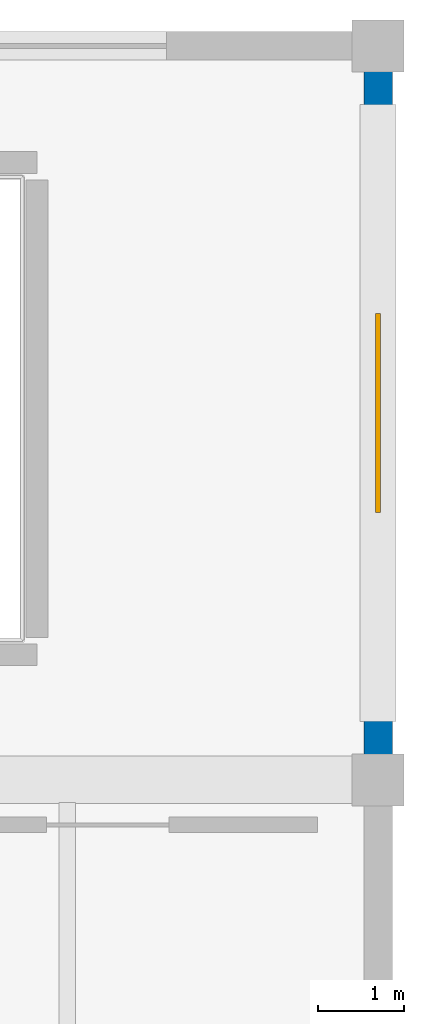
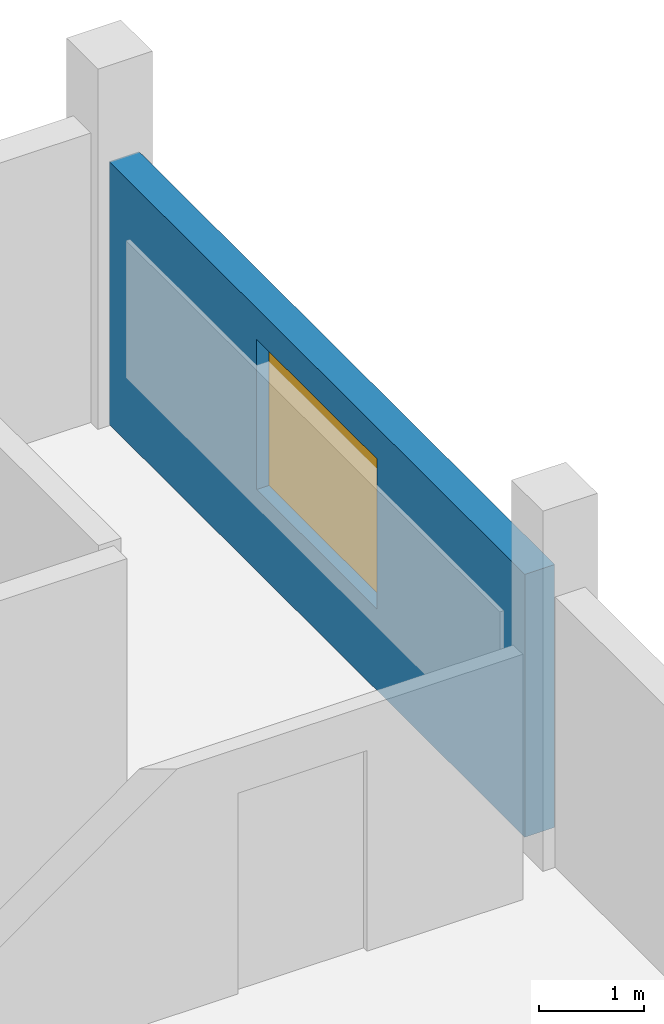
# One storey, part 11 of 13: 1 wall, 1 window, 1 opening.
"""IFC4 building model written with IfcOpenShell, lengths in metres."""

import ifcopenshell
import ifcopenshell.guid

model = None  # the IFC model being written
_history = None  # IfcOwnerHistory: only IFC2X3 demands one
_inside = {}  # id of a spatial element -> (the spatial element, [elements in it])
_under = {}  # id of a project, library or spatial element -> (it, [spatial elements below it])
_declared = {}  # id of a project -> (the project, [libraries it declares])
_typed = {}  # id of a type object -> (the type object, [elements of that type])
_made_of = {}  # id of a material, layer set ... -> (it, [elements and type objects made of it])


def new_model(schema):
    """Start an empty IFC model of exactly this schema.

    Asked for "IFC4X3", IfcOpenShell would pick the latest addendum, in which some entities
    have other attributes; the version numbers below select the first issue.
    IFC2X3 requires an IfcOwnerHistory on every rooted entity: one is made here for all.
    """
    global model, _history
    if schema == "IFC4X3":
        model = ifcopenshell.file(schema_version=(4, 3, 0, 0))
    else:
        model = ifcopenshell.file(schema=schema)
    _inside.clear()
    _under.clear()
    _declared.clear()
    _typed.clear()
    _made_of.clear()
    _history = None
    if model.schema == "IFC2X3":
        org = make("IfcOrganization", Name="unknown")
        user = make(
            "IfcPersonAndOrganization",
            ThePerson=make("IfcPerson", FamilyName="unknown"),
            TheOrganization=org,
        )
        app = make(
            "IfcApplication",
            ApplicationDeveloper=org,
            Version="unknown",
            ApplicationFullName="unknown",
            ApplicationIdentifier="unknown",
        )
        _history = make(
            "IfcOwnerHistory",
            OwningUser=user,
            OwningApplication=app,
            ChangeAction="ADDED",
            CreationDate=0,
        )
    return model


def make(cls, **values):
    """One entity of the class cls with the attributes given. An attribute that is None is left unset."""
    return model.create_entity(
        cls, **{name: value for name, value in values.items() if value is not None}
    )


def rooted(cls, **values):
    """An entity with a GlobalId (a new one), such as an element, a storey or a relation."""
    return make(cls, GlobalId=ifcopenshell.guid.new(), OwnerHistory=_history, **values)


def si_unit(unit_type, name, prefix=None):
    """IfcSIUnit, for example si_unit("LENGTHUNIT", "METRE", prefix="MILLI")."""
    return make("IfcSIUnit", UnitType=unit_type, Prefix=prefix, Name=name)


def assignment(units):
    """IfcUnitAssignment: the units of a project."""
    return None if units is None else make("IfcUnitAssignment", Units=units)


def point(xyz):
    """IfcCartesianPoint."""
    return None if xyz is None else make("IfcCartesianPoint", Coordinates=xyz)


def direction(xyz):
    """IfcDirection."""
    return None if xyz is None else make("IfcDirection", DirectionRatios=xyz)


def frame(location, z_axis=None, x_axis=None):
    """IfcAxis2Placement3D, a coordinate frame: its origin and axes. An axis left out is left unset."""
    return make(
        "IfcAxis2Placement3D",
        Location=point(location),
        Axis=direction(z_axis),
        RefDirection=direction(x_axis),
    )


def frame_2d(location, x_axis=None):
    """IfcAxis2Placement2D, a coordinate frame in the plane: its origin and x axis."""
    return make(
        "IfcAxis2Placement2D", Location=point(location), RefDirection=direction(x_axis)
    )


def origin():
    """The frame at (0, 0, 0) with its axes left unset."""
    return frame((0.0, 0.0, 0.0))


def place(relative_to, where):
    """IfcLocalPlacement: puts the frame where relative to a parent placement (None: the world)."""
    return make(
        "IfcLocalPlacement", PlacementRelTo=relative_to, RelativePlacement=where
    )


def context(
    kind, dimensions, precision=None, world=None, true_north=None, identifier=None
):
    """IfcGeometricRepresentationContext, for example the 3D "Model" context."""
    return make(
        "IfcGeometricRepresentationContext",
        ContextIdentifier=identifier,
        ContextType=kind,
        CoordinateSpaceDimension=dimensions,
        Precision=precision,
        WorldCoordinateSystem=world,
        TrueNorth=true_north,
    )


def subcontext(parent, identifier, kind, view, scale=None):
    """IfcGeometricRepresentationSubContext, for example "Body" below "Model"."""
    return make(
        "IfcGeometricRepresentationSubContext",
        ContextIdentifier=identifier,
        ContextType=kind,
        ParentContext=parent,
        TargetScale=scale,
        TargetView=view,
    )


def project(units=None, contexts=None):
    """IfcProject with its units and contexts."""
    return rooted(
        "IfcProject",
        Name="project",
        RepresentationContexts=contexts,
        UnitsInContext=assignment(units),
    )


def spatial(cls, under=None, at=None, **own):
    """A site, building, storey or space (cls), placed at a placement, below another one or the project."""
    s = rooted(cls, ObjectPlacement=at, **own)
    if under is not None:
        _under.setdefault(under.id(), (under, []))[1].append(s)
    return s


def profile(cls, at=None, kind="AREA", **sizes):
    """A parametric profile (cls). Its sizes go by their IFC names, for example OverallWidth=200.0."""
    return make(cls, ProfileType=kind, Position=at, **sizes)


def rectangle(**sizes):
    """IfcRectangleProfileDef."""
    return profile("IfcRectangleProfileDef", **sizes)


def extrude(swept, where, along, depth):
    """IfcExtrudedAreaSolid: the profile swept, set in the frame where, extruded along a direction by depth."""
    return make(
        "IfcExtrudedAreaSolid",
        SweptArea=swept,
        Position=where,
        ExtrudedDirection=direction(along),
        Depth=depth,
    )


def shape(context_of_items, identifier, shape_type, items):
    """IfcShapeRepresentation: the items that make up one representation, for example the "Body"."""
    return make(
        "IfcShapeRepresentation",
        ContextOfItems=context_of_items,
        RepresentationIdentifier=identifier,
        RepresentationType=shape_type,
        Items=items,
    )


def material(Name=None, Category=None):
    """IfcMaterial."""
    return make("IfcMaterial", Name=Name, Category=Category)


def layer(
    of_material, thickness, ventilated=None, Name=None, Category=None, Priority=None
):
    """IfcMaterialLayer: one layer of a wall or slab, of a material (None: an air gap)."""
    return make(
        "IfcMaterialLayer",
        Material=of_material,
        LayerThickness=thickness,
        IsVentilated=ventilated,
        Name=Name,
        Category=Category,
        Priority=Priority,
    )


def layer_set(layers, Name=None):
    """IfcMaterialLayerSet."""
    return make("IfcMaterialLayerSet", MaterialLayers=layers, LayerSetName=Name)


def made_of(thing, what):
    """Note that an element or type object is made of a material, layer set ...; save() writes the relation."""
    if what is not None:
        _made_of.setdefault(what.id(), (what, []))[1].append(thing)
    return thing


def type_object(cls, material=None, **own):
    """A type object (cls), such as IfcWallType, which elements share."""
    return made_of(rooted(cls, **own), material)


def element(
    cls,
    number,
    at=None,
    inside=None,
    cuts=None,
    type_object=None,
    material=None,
    context=None,
    identifier="Body",
    shape_type=None,
    held_by="IfcProductDefinitionShape",
    body=None,
    shapes=None,
    **own,
):
    """One element of the class cls, such as IfcWall. Its Tag is "e" and its number.

    at: its placement. inside: the storey or other place that contains it. cuts: it is an
    opening in that element (IfcRelVoidsElement). A single representation is given by context,
    identifier, shape_type and body (its items); several are given by shapes. held_by: the class
    of the entity that holds the representations. save() writes the other relations.
    """
    e = rooted(cls, Tag="e%d" % number, ObjectPlacement=at, **own)
    if body is not None:
        shapes = [shape(context, identifier, shape_type, body)]
    if shapes is not None:
        e.Representation = make(held_by, Representations=shapes)
    if inside is not None:
        _inside.setdefault(inside.id(), (inside, []))[1].append(e)
    if cuts is not None:
        rooted(
            "IfcRelVoidsElement", RelatingBuildingElement=cuts, RelatedOpeningElement=e
        )
    if type_object is not None:
        _typed.setdefault(type_object.id(), (type_object, []))[1].append(e)
    return made_of(e, material)


def fill(opening, filler):
    """IfcRelFillsElement: the door or window that sits in an opening."""
    return rooted(
        "IfcRelFillsElement",
        RelatingOpeningElement=opening,
        RelatedBuildingElement=filler,
    )


def aggregate(whole, parts):
    """IfcRelAggregates: a whole, such as a stair, and the parts it consists of."""
    return rooted("IfcRelAggregates", RelatingObject=whole, RelatedObjects=parts)


def save(model, path):
    """Write the relations noted so far, then the file.

    IfcRelAggregates (storeys below a building ...), IfcRelContainedInSpatialStructure (elements
    in a storey), IfcRelDefinesByType, IfcRelAssociatesMaterial and IfcRelDeclares: one each for
    every whole, place, type object, material and project.
    """
    for whole, parts in _under.values():
        aggregate(whole, parts)
    for where, things in _inside.values():
        rooted(
            "IfcRelContainedInSpatialStructure",
            RelatedElements=things,
            RelatingStructure=where,
        )
    for kind, things in _typed.values():
        rooted("IfcRelDefinesByType", RelatedObjects=things, RelatingType=kind)
    for what, things in _made_of.values():
        rooted("IfcRelAssociatesMaterial", RelatedObjects=things, RelatingMaterial=what)
    for by, libraries in _declared.values():
        rooted("IfcRelDeclares", RelatingContext=by, RelatedDefinitions=libraries)
    model.write(path)


model = new_model("IFC4")

# Units and contexts
model_context = context("Model", 3, precision=1e-05, world=origin(), true_north=direction((0.0, 1.0)))
body_context = subcontext(model_context, "Body", "Model", "MODEL_VIEW")
ifc_project = project(units=[si_unit("LENGTHUNIT", "METRE"), si_unit("AREAUNIT", "SQUARE_METRE"), si_unit("VOLUMEUNIT", "CUBIC_METRE"), si_unit("PLANEANGLEUNIT", "RADIAN"), si_unit("MASSUNIT", "GRAM", prefix="KILO")], contexts=[model_context])

# Site, building, storey
site_placement = place(None, origin())
site = spatial("IfcSite", under=ifc_project, at=site_placement, CompositionType="ELEMENT")
building_placement = place(site_placement, origin())
building = spatial("IfcBuilding", under=site, at=building_placement, Name="Solvento Point Concert Hall", CompositionType="ELEMENT")
storey_placement = place(building_placement, frame((0.0, 0.0, 23.699951171875)))
storey = spatial("IfcBuildingStorey", under=building, at=storey_placement, Name="L05", CompositionType="ELEMENT", Elevation=23.699951171875)

# Wall, opening, window
ifc_material_1 = material(Name="Concrete C35/45", Category="concrete")
ifc_layer = layer(ifc_material_1, 0.330078125)
ifc_layer_set = layer_set([ifc_layer], Name="Concrete C35/45")
wall_type = type_object("IfcWallType", Name="ExtWall_V5_Plinth_330", PredefinedType="SOLIDWALL", material=ifc_layer_set)
wall_placement = place(storey_placement, frame((216.0, 135.719970703125, 0.0), z_axis=(0.0, 0.0, 1.0), x_axis=(0.0, -1.0, 0.0)))
wall = element("IfcWall", 1, at=wall_placement, inside=storey, type_object=wall_type, Name="Exterior architectural concrete wall EW-72 L05", PredefinedType="SOLIDWALL", context=body_context, shape_type="SweptSolid", body=[
    extrude(rectangle(XDim=7.93994140625, YDim=0.330078125, at=frame_2d((3.969970703125, 0.0))), origin(), (0.0, 0.0, 1.0), 3.06494140625),
])
opening_placement = place(wall_placement, frame((2.820068359375, 0.0, 0.949951171875)))
opening = element("IfcOpeningElement", 2, at=opening_placement, cuts=wall, Name="Opening WN-81", PredefinedType="OPENING", context=body_context, shape_type="SweptSolid", body=[
    extrude(rectangle(XDim=2.300048828125, YDim=1.75, at=frame_2d((1.14990234375, 0.875))), frame((0.0, 0.175048828125, 0.0), z_axis=(0.0, -1.0, 0.0), x_axis=(1.0, 0.0, 0.0)), (0.0, 0.0, 1.0), 0.35009765625),
])
ifc_material_2 = material(Name="Hurricane Laminated Low-E Glass", Category="glass")
window_type = type_object("IfcWindowType", Name="Win_V5_AdminRibbon_L05", PartitioningType="SINGLE_PANEL", PredefinedType="WINDOW", material=ifc_material_2)
window_placement = place(opening_placement, origin())
window = element("IfcWindow", 3, at=window_placement, inside=storey, type_object=window_type, Name="Impact acoustic window WN-81", OverallHeight=1.75, OverallWidth=2.300048828125, PartitioningType="SINGLE_PANEL", PredefinedType="WINDOW", context=body_context, shape_type="SweptSolid", body=[
    extrude(rectangle(XDim=2.300048828125, YDim=1.75, at=frame_2d((1.14990234375, 0.875))), frame((0.0, 0.030029296875, 0.0), z_axis=(0.0, -1.0, 0.0), x_axis=(1.0, 0.0, 0.0)), (0.0, 0.0, 1.0), 0.06005859375),
])
fill(opening, window)

save(model, "model.ifc")
